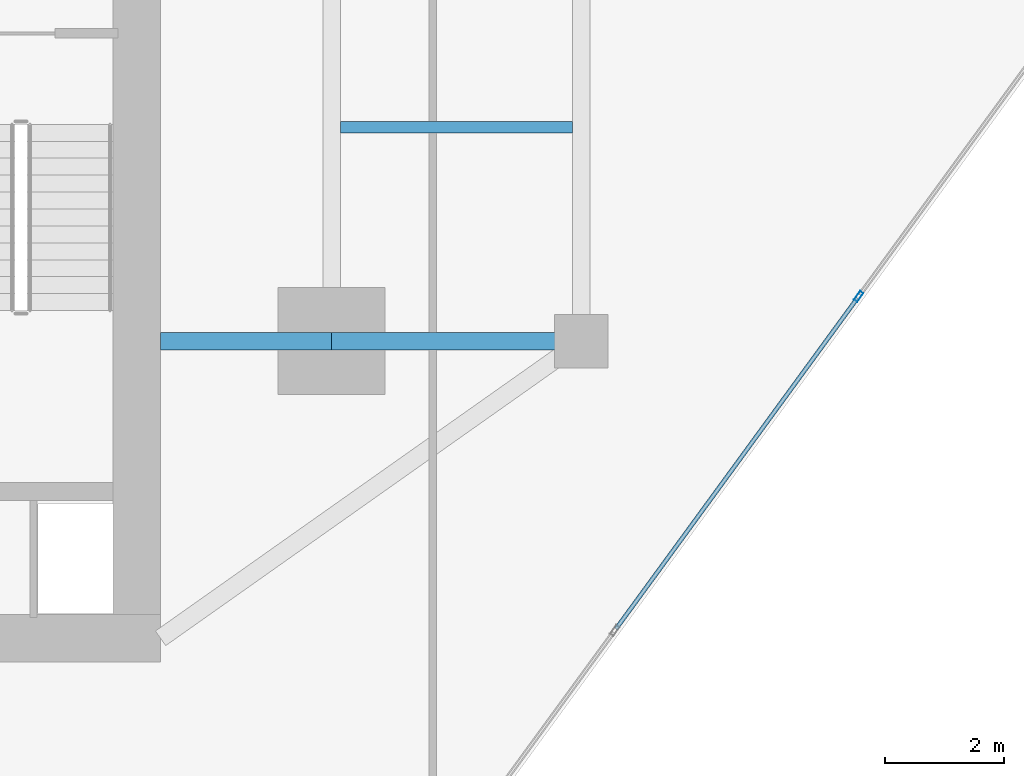
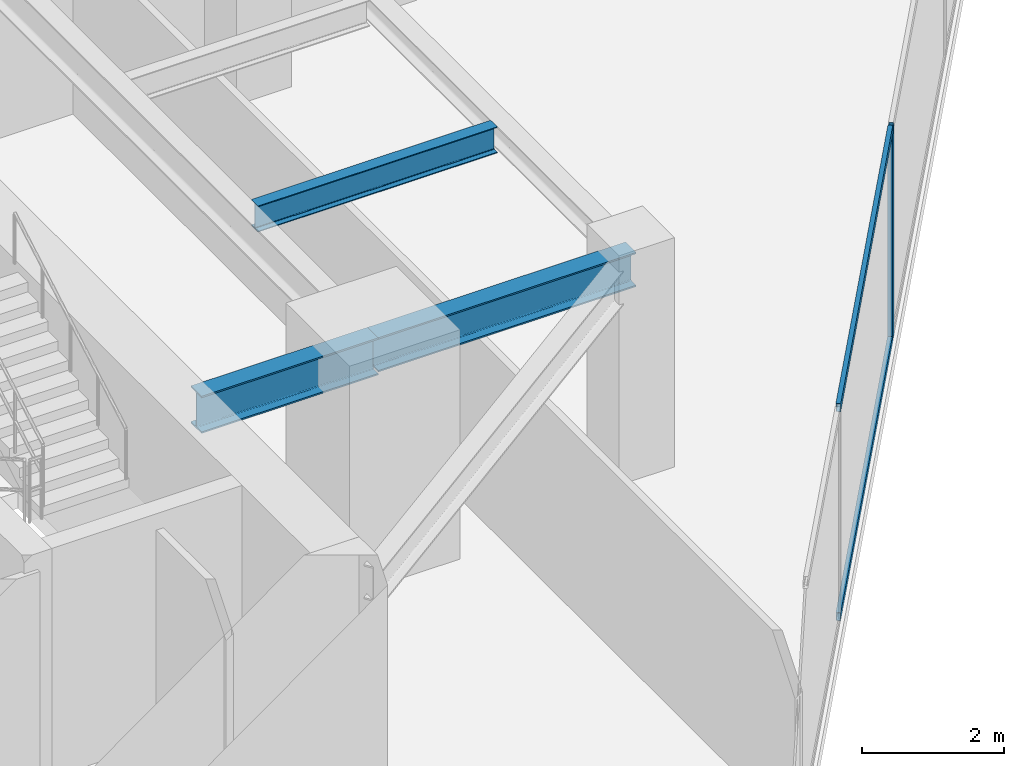
# One storey, part 9 of 25: 3 beams, 3 members, 1 element without a shape of its own.
"""IFC4 building model written with IfcOpenShell, lengths in metres."""

from ifc_helpers import new_model, si_unit, direction, frame, origin, origin_2d, place, context, subcontext, project, spatial, hollow_rectangle, i_section, extrude, source, transform, mapped, material, material_profile, profile_set, type_object, type_shapes, element, aggregate, save


model = new_model("IFC4")

# Units and contexts
model_context = context("Model", 3, precision=1e-05, world=origin(), true_north=direction((0.0, 1.0)))
body_context = subcontext(model_context, "Body", "Model", "MODEL_VIEW")
ifc_project = project(units=[si_unit("LENGTHUNIT", "METRE"), si_unit("AREAUNIT", "SQUARE_METRE"), si_unit("VOLUMEUNIT", "CUBIC_METRE"), si_unit("PLANEANGLEUNIT", "RADIAN"), si_unit("MASSUNIT", "GRAM", prefix="KILO")], contexts=[model_context])

# Site, building, storey
site_placement = place(None, origin())
site = spatial("IfcSite", under=ifc_project, at=site_placement, CompositionType="ELEMENT")
building_placement = place(site_placement, origin())
building = spatial("IfcBuilding", under=site, at=building_placement, Name="Krantzveldt Concourse Tower", CompositionType="ELEMENT")
storey_placement = place(building_placement, frame((0.0, 0.0, 193.60009765625)))
storey = spatial("IfcBuildingStorey", under=building, at=storey_placement, Name="L47", CompositionType="ELEMENT", Elevation=193.60009765625)

# Beams
ifc_material_1 = material(Name="Steel S355JR", Category="steel")
ifc_material_profile_1 = material_profile(ifc_material_1, i_section(OverallWidth=0.300048828125, OverallDepth=0.590087890625, WebThickness=0.012939453125, FlangeThickness=0.02490234375, FilletRadius=0.027099609375, at=origin_2d()), Name="Steel S355JR", Category="steel")
ifc_profile_set_1 = profile_set([ifc_material_profile_1], Name="Steel S355JR - HEA 600")
beam_type_1 = type_object("IfcBeamType", Name="BM-B-HEA600", PredefinedType="BEAM", material=ifc_profile_set_1)
shared_shape_1 = source(origin(), body_context, "Body", "SweptSolid", [
    extrude(i_section(OverallWidth=0.300048828125, OverallDepth=0.590087890625, WebThickness=0.012939453125, FlangeThickness=0.02490234375, FilletRadius=0.027099609375, at=origin_2d()), origin(), (0.0, 0.0, 1.0), 4.199951171875),
])
type_shapes(beam_type_1, [shared_shape_1])
beam_1_placement = place(storey_placement, frame((46.800048828125, 15.89990234375, 3.375), z_axis=(1.0, 0.0, 0.0), x_axis=(0.0, 1.0, 0.0)))
element("IfcBeam", 1, at=beam_1_placement, inside=storey, type_object=beam_type_1, Name="L47 Tower Girder BR-RR1", PredefinedType="BEAM", context=body_context, shape_type="MappedRepresentation", body=[
    mapped(shared_shape_1, transform((0.0, 0.0, 0.0), x_axis=(1.0, 0.0, 0.0), y_axis=(0.0, 1.0, 0.0), z_axis=(0.0, 0.0, 1.0), scale=1.0)),
])
ifc_material_profile_2 = material_profile(ifc_material_1, i_section(OverallWidth=0.300048828125, OverallDepth=0.639892578125, WebThickness=0.013427734375, FlangeThickness=0.02587890625, FilletRadius=0.027099609375, at=origin_2d()), Name="Steel S355JR", Category="steel")
ifc_profile_set_2 = profile_set([ifc_material_profile_2], Name="Steel S355JR - HEA 650")
beam_type_2 = type_object("IfcBeamType", Name="BM-B-HEA650", PredefinedType="BEAM", material=ifc_profile_set_2)
shared_shape_2 = source(origin(), body_context, "Body", "SweptSolid", [
    extrude(i_section(OverallWidth=0.300048828125, OverallDepth=0.639892578125, WebThickness=0.013427734375, FlangeThickness=0.02587890625, FilletRadius=0.027099609375, at=origin_2d()), origin(), (0.0, 0.0, 1.0), 2.880126953125),
])
type_shapes(beam_type_2, [shared_shape_2])
beam_2_placement = place(storey_placement, frame((43.919921875, 15.89990234375, 3.349853515625), z_axis=(1.0, 0.0, 0.0), x_axis=(0.0, 1.0, 0.0)))
element("IfcBeam", 2, at=beam_2_placement, inside=storey, type_object=beam_type_2, Name="L47 Tower Girder BG-CE1", PredefinedType="BEAM", context=body_context, shape_type="MappedRepresentation", body=[
    mapped(shared_shape_2, transform((0.0, 0.0, 0.0), x_axis=(1.0, 0.0, 0.0), y_axis=(0.0, 1.0, 0.0), z_axis=(0.0, 0.0, 1.0), scale=1.0)),
])
ifc_material_profile_3 = material_profile(ifc_material_1, i_section(OverallWidth=0.18994140625, OverallDepth=0.449951171875, WebThickness=0.009521484375, FlangeThickness=0.0146484375, FilletRadius=0.02099609375, at=origin_2d()), Name="Steel S355JR", Category="steel")
ifc_profile_set_3 = profile_set([ifc_material_profile_3], Name="Steel S355JR - IPE 450")
beam_type_3 = type_object("IfcBeamType", Name="BM-J-IPE450", PredefinedType="JOIST", material=ifc_profile_set_3)
shared_shape_3 = source(origin(), body_context, "Body", "SweptSolid", [
    extrude(i_section(OverallWidth=0.18994140625, OverallDepth=0.449951171875, WebThickness=0.009521484375, FlangeThickness=0.0146484375, FilletRadius=0.02099609375, at=origin_2d()), origin(), (0.0, 0.0, 1.0), 3.900146484375),
])
type_shapes(beam_type_3, [shared_shape_3])
beam_3_placement = place(storey_placement, frame((46.949951171875, 19.5, 3.44482421875), z_axis=(1.0, 0.0, 0.0), x_axis=(0.0, 1.0, 0.0)))
element("IfcBeam", 3, at=beam_3_placement, inside=storey, type_object=beam_type_3, Name="L47 Secondary Floor Joist JE-1", PredefinedType="JOIST", context=body_context, shape_type="MappedRepresentation", body=[
    mapped(shared_shape_3, transform((0.0, 0.0, 0.0), x_axis=(1.0, 0.0, 0.0), y_axis=(0.0, 1.0, 0.0), z_axis=(0.0, 0.0, 1.0), scale=1.0)),
])

# Curtain wall, members
ifc_material_2 = material(Name="Anodised aluminium 6063-T6", Category="aluminium")
curtain_wall_type = type_object("IfcCurtainWallType", Name="CW3", PredefinedType="USERDEFINED", material=ifc_material_2)
curtain_wall_placement = place(storey_placement, origin())
curtain_wall = element("IfcCurtainWall", 4, at=curtain_wall_placement, inside=storey, type_object=curtain_wall_type, Name="CW-L47-F07", ObjectType="UNITISED CURTAIN WALL", PredefinedType="USERDEFINED")
ifc_material_profile_4 = material_profile(ifc_material_2, hollow_rectangle(XDim=0.070068359375, YDim=0.179931640625, WallThickness=0.0048828125, at=origin_2d()), Name="Anodised aluminium 6063-T6", Category="aluminium")
ifc_profile_set_4 = profile_set([ifc_material_profile_4], Name="Anodised aluminium 6063-T6 - ALU-MULL 180x70x5")
member_type_1 = type_object("IfcMemberType", Name="CW-MUL-180", PredefinedType="MULLION", material=ifc_profile_set_4)
shared_shape_4 = source(origin(), body_context, "Body", "SweptSolid", [
    extrude(hollow_rectangle(XDim=0.070068359375, YDim=0.179931640625, WallThickness=0.0048828125, at=origin_2d()), origin(), (0.0, 0.0, 1.0), 3.669921875),
])
type_shapes(member_type_1, [shared_shape_4])
member_1_placement = place(storey_placement, frame((55.668212890625, 16.65283203125, 0.0), z_axis=(0.0, 0.0, 1.0), x_axis=(-0.807732735781, 0.589548833895, 0.0)))
member_1 = element("IfcMember", 5, at=member_1_placement, type_object=member_type_1, Name="CW-Z34 mullion 4", PredefinedType="MULLION", context=body_context, shape_type="MappedRepresentation", body=[
    mapped(shared_shape_4, transform((0.0, 0.0, 0.0), x_axis=(1.0, 0.0, 0.0), y_axis=(0.0, 1.0, 0.0), z_axis=(0.0, 0.0, 1.0), scale=1.0)),
])
ifc_material_profile_5 = material_profile(ifc_material_2, hollow_rectangle(XDim=0.070068359375, YDim=0.139892578125, WallThickness=0.0048828125, at=origin_2d()), Name="Anodised aluminium 6063-T6", Category="aluminium")
ifc_profile_set_5 = profile_set([ifc_material_profile_5], Name="Anodised aluminium 6063-T6 - ALU-TRAN 140x70x5")
member_type_2 = type_object("IfcMemberType", Name="CW-TRN-150", PredefinedType="USERDEFINED", material=ifc_profile_set_5)
shared_shape_5 = source(origin(), body_context, "Body", "SweptSolid", [
    extrude(hollow_rectangle(XDim=0.070068359375, YDim=0.139892578125, WallThickness=0.0048828125, at=origin_2d()), origin(), (0.0, 0.0, 1.0), 6.889892578125),
])
type_shapes(member_type_2, [shared_shape_5])
member_2_placement = place(storey_placement, frame((51.585693359375, 11.059326171875, 0.034912109375), z_axis=(0.589557179589, 0.807726644352, 0.0), x_axis=(-0.807726644352, 0.589557179589, 0.0)))
member_2 = element("IfcMember", 6, at=member_2_placement, type_object=member_type_2, Name="CW-Z34 transom 3.1", ObjectType="TRANSOM", PredefinedType="USERDEFINED", context=body_context, shape_type="MappedRepresentation", body=[
    mapped(shared_shape_5, transform((0.0, 0.0, 0.0), x_axis=(1.0, 0.0, 0.0), y_axis=(0.0, 1.0, 0.0), z_axis=(0.0, 0.0, 1.0), scale=1.0)),
])
member_3_placement = place(storey_placement, frame((51.585693359375, 11.059326171875, 3.635009765625), z_axis=(0.589557179589, 0.807726644352, 0.0), x_axis=(-0.807726644352, 0.589557179589, 0.0)))
member_3 = element("IfcMember", 7, at=member_3_placement, type_object=member_type_2, Name="CW-Z34 transom 3.2", ObjectType="TRANSOM", PredefinedType="USERDEFINED", context=body_context, shape_type="MappedRepresentation", body=[
    mapped(shared_shape_5, transform((0.0, 0.0, 0.0), x_axis=(1.0, 0.0, 0.0), y_axis=(0.0, 1.0, 0.0), z_axis=(0.0, 0.0, 1.0), scale=1.0)),
])
aggregate(curtain_wall, [member_1, member_2, member_3])

save(model, "model.ifc")
